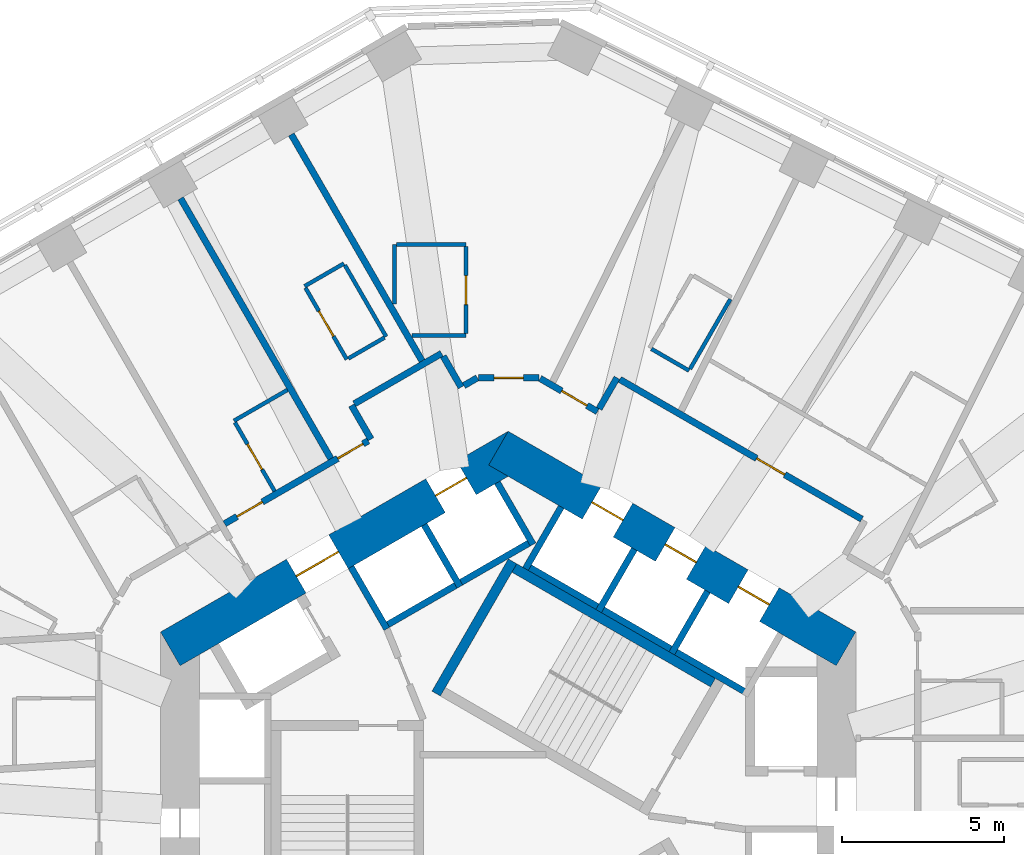
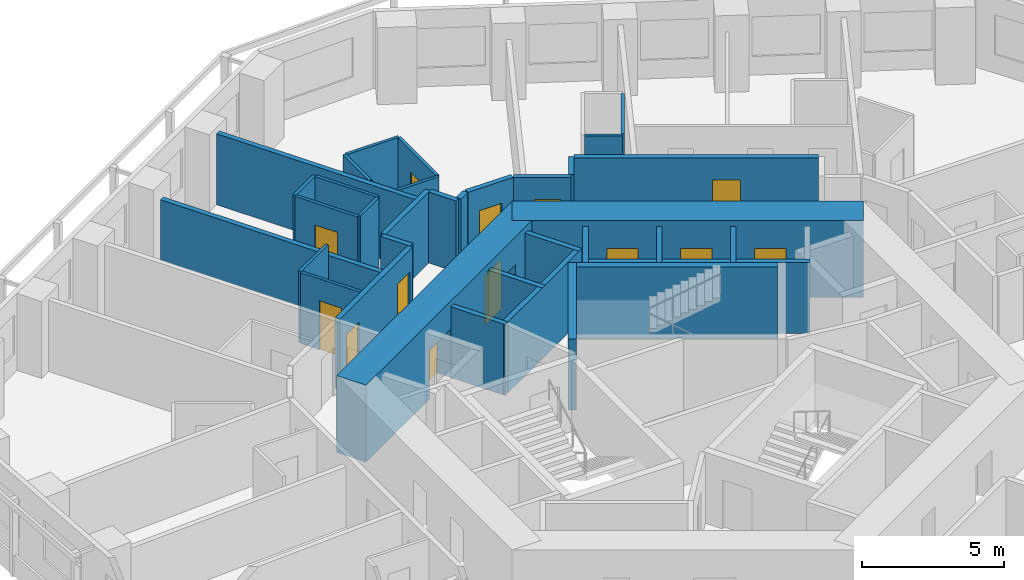
# One storey, part 8 of 12: 35 walls, 13 doors, 13 openings.
"""IFC4 building model written with IfcOpenShell, lengths in metres."""

from ifc_helpers import new_model, si_unit, direction, frame, frame_2d, origin, place, context, subcontext, project, spatial, rectangle, extrude, material, layer, layer_set, type_object, element, fill, save


model = new_model("IFC4")

# Units and contexts
model_context = context("Model", 3, precision=1e-05, world=origin(), true_north=direction((0.0, 1.0)))
body_context = subcontext(model_context, "Body", "Model", "MODEL_VIEW")
ifc_project = project(units=[si_unit("LENGTHUNIT", "METRE"), si_unit("AREAUNIT", "SQUARE_METRE"), si_unit("VOLUMEUNIT", "CUBIC_METRE"), si_unit("PLANEANGLEUNIT", "RADIAN"), si_unit("MASSUNIT", "GRAM", prefix="KILO")], contexts=[model_context])

# Site, building, storey
site_placement = place(None, origin())
site = spatial("IfcSite", under=ifc_project, at=site_placement, CompositionType="ELEMENT")
building_placement = place(site_placement, origin())
building = spatial("IfcBuilding", under=site, at=building_placement, Name="Vanh Sen Convention Tower", CompositionType="ELEMENT")
storey_placement = place(building_placement, frame((0.0, 0.0, 86.89990234375)))
storey = spatial("IfcBuildingStorey", under=building, at=storey_placement, Name="L19", CompositionType="ELEMENT", Elevation=86.89990234375)

# Wall
ifc_material_1 = material(Name="Moisture-resistant gypsum board on steel studs", Category="steel")
ifc_layer_1 = layer(ifc_material_1, 0.1201171875)
ifc_layer_set_1 = layer_set([ifc_layer_1], Name="Moisture-resistant gypsum board on steel studs")
wall_type_1 = type_object("IfcWallType", Name="Bathroom partition 120", PredefinedType="PARTITIONING", material=ifc_layer_set_1)
wall_1_placement = place(storey_placement, frame((-8.43994140625, 12.6787109375, 0.0), z_axis=(0.0, 0.0, 1.0), x_axis=(0.866044365799, 0.499967155389, 0.0)))
element("IfcWall", 1, at=wall_1_placement, inside=storey, type_object=wall_type_1, Name="Bathroom partition 120", PredefinedType="PARTITIONING", context=body_context, shape_type="SweptSolid", body=[
    extrude(rectangle(XDim=1.900146484375, YDim=0.1201171875, at=frame_2d((0.9501953125, 0.0))), origin(), (0.0, 0.0, 1.0), 3.050048828125),
])

# Wall, opening, door
wall_2_placement = place(storey_placement, frame((-7.18994140625, 10.513427734375, 0.0), z_axis=(0.0, 0.0, 1.0), x_axis=(-0.499959183527, 0.866048967903, 0.0)))
wall_2 = element("IfcWall", 2, at=wall_2_placement, inside=storey, type_object=wall_type_1, Name="Bathroom partition 120", PredefinedType="PARTITIONING", context=body_context, shape_type="SweptSolid", body=[
    extrude(rectangle(XDim=2.440185546875, YDim=0.1201171875, at=frame_2d((1.22021484375, 0.0))), origin(), (0.0, 0.0, 1.0), 3.050048828125),
])
opening_1_placement = place(wall_2_placement, frame((0.77001953125, 0.0, 0.0)))
opening_1 = element("IfcOpeningElement", 3, at=opening_1_placement, cuts=wall_2, Name="Opening D19120", PredefinedType="OPENING", context=body_context, shape_type="SweptSolid", body=[
    extrude(rectangle(XDim=0.89990234375, YDim=2.10009765625, at=frame_2d((0.449951171875, 1.050048828125))), frame((0.0, 0.070068359375, 0.0), z_axis=(0.0, -1.0, 0.0), x_axis=(1.0, 0.0, 0.0)), (0.0, 0.0, 1.0), 0.14013671875),
])
ifc_material_2 = material(Name="Laminate door in steel frame", Category="steel")
door_type_1 = type_object("IfcDoorType", Name="En-suite door 900", OperationType="SINGLE_SWING_LEFT", PredefinedType="DOOR", material=ifc_material_2)
door_1_placement = place(opening_1_placement, origin())
door_1 = element("IfcDoor", 4, at=door_1_placement, inside=storey, type_object=door_type_1, Name="En-suite door D19120", OperationType="SINGLE_SWING_LEFT", OverallHeight=2.10009765625, OverallWidth=0.89990234375, PredefinedType="DOOR", context=body_context, shape_type="SweptSolid", body=[
    extrude(rectangle(XDim=0.89990234375, YDim=2.10009765625, at=frame_2d((0.449951171875, 1.050048828125))), frame((0.0, 0.02490234375, 0.0), z_axis=(0.0, -1.0, 0.0), x_axis=(1.0, 0.0, 0.0)), (0.0, 0.0, 1.0), 0.050048828125),
])
fill(opening_1, door_1)

# Walls
wall_3_placement = place(storey_placement, frame((-6.268310546875, 16.8203125, 0.0), z_axis=(0.0, 0.0, 1.0), x_axis=(0.866002662425, 0.500039387122, 0.0)))
element("IfcWall", 5, at=wall_3_placement, inside=storey, type_object=wall_type_1, Name="Bathroom partition 120", PredefinedType="PARTITIONING", context=body_context, shape_type="SweptSolid", body=[
    extrude(rectangle(XDim=1.400390625, YDim=0.1201171875, at=frame_2d((0.7001953125, 0.0))), origin(), (0.0, 0.0, 1.0), 3.050048828125),
])
wall_4_placement = place(storey_placement, frame((-5.025634765625, 17.468505859375, 0.0), z_axis=(0.0, 0.0, 1.0), x_axis=(0.500005339912, -0.866022320763, 0.0)))
element("IfcWall", 6, at=wall_4_placement, inside=storey, type_object=wall_type_1, Name="Bathroom partition 120", PredefinedType="PARTITIONING", context=body_context, shape_type="SweptSolid", body=[
    extrude(rectangle(XDim=2.5400390625, YDim=0.1201171875, at=frame_2d((1.27001953125, 0.0))), origin(), (0.0, 0.0, 1.0), 3.050048828125),
])

# Wall, opening, door
wall_5_placement = place(storey_placement, frame((-4.96826171875, 14.56884765625, 0.0), z_axis=(0.0, 0.0, 1.0), x_axis=(-0.500046963369, 0.865998287773, 0.0)))
wall_5 = element("IfcWall", 7, at=wall_5_placement, inside=storey, type_object=wall_type_1, Name="Bathroom partition 120", PredefinedType="PARTITIONING", context=body_context, shape_type="SweptSolid", body=[
    extrude(rectangle(XDim=2.539794921875, YDim=0.1201171875, at=frame_2d((1.27001953125, 0.0))), origin(), (0.0, 0.0, 1.0), 3.050048828125),
])
opening_2_placement = place(wall_5_placement, frame((0.820068359375, 0.0, 0.0)))
opening_2 = element("IfcOpeningElement", 8, at=opening_2_placement, cuts=wall_5, Name="Opening D19118", PredefinedType="OPENING", context=body_context, shape_type="SweptSolid", body=[
    extrude(rectangle(XDim=0.89990234375, YDim=2.10009765625, at=frame_2d((0.449951171875, 1.050048828125))), frame((0.0, 0.070068359375, 0.0), z_axis=(0.0, -1.0, 0.0), x_axis=(1.0, 0.0, 0.0)), (0.0, 0.0, 1.0), 0.14013671875),
])
door_2_placement = place(opening_2_placement, origin())
door_2 = element("IfcDoor", 9, at=door_2_placement, inside=storey, type_object=door_type_1, Name="En-suite door D19118", OperationType="SINGLE_SWING_LEFT", OverallHeight=2.10009765625, OverallWidth=0.89990234375, PredefinedType="DOOR", context=body_context, shape_type="SweptSolid", body=[
    extrude(rectangle(XDim=0.89990234375, YDim=2.10009765625, at=frame_2d((0.449951171875, 1.050048828125))), frame((0.0, 0.02490234375, 0.0), z_axis=(0.0, -1.0, 0.0), x_axis=(1.0, 0.0, 0.0)), (0.0, 0.0, 1.0), 0.050048828125),
])
fill(opening_2, door_2)

# Walls
wall_6_placement = place(storey_placement, frame((-3.8076171875, 15.23876953125, 0.0), z_axis=(0.0, 0.0, 1.0), x_axis=(-0.866087136806, -0.499893060024, 0.0)))
element("IfcWall", 10, at=wall_6_placement, inside=storey, type_object=wall_type_1, Name="Bathroom partition 120", PredefinedType="PARTITIONING", context=body_context, shape_type="SweptSolid", body=[
    extrude(rectangle(XDim=1.280029296875, YDim=0.1201171875, at=frame_2d((0.64013671875, 0.0))), origin(), (0.0, 0.0, 1.0), 3.050048828125),
])
wall_7_placement = place(storey_placement, frame((-3.5, 16.271484375, 0.0), z_axis=(0.0, 0.0, 1.0), x_axis=(0.0, 1.0, 0.0)))
element("IfcWall", 11, at=wall_7_placement, inside=storey, type_object=wall_type_1, Name="Bathroom partition 120", PredefinedType="PARTITIONING", context=body_context, shape_type="SweptSolid", body=[
    extrude(rectangle(XDim=1.8291015625, YDim=0.1201171875, at=frame_2d((0.91455078125, 0.0))), origin(), (0.0, 0.0, 1.0), 3.050048828125),
])
wall_8_placement = place(storey_placement, frame((-3.43994140625, 18.1005859375, 0.0), z_axis=(0.0, 0.0, 1.0), x_axis=(1.0, 0.0, 0.0)))
element("IfcWall", 12, at=wall_8_placement, inside=storey, type_object=wall_type_1, Name="Bathroom partition 120", PredefinedType="PARTITIONING", context=body_context, shape_type="SweptSolid", body=[
    extrude(rectangle(XDim=2.139892578125, YDim=0.1201171875, at=frame_2d((1.06982421875, 0.0))), origin(), (0.0, 0.0, 1.0), 3.050048828125),
])
wall_9_placement = place(storey_placement, frame((-1.300048828125, 15.30078125, 0.0), z_axis=(0.0, 0.0, 1.0), x_axis=(-1.0, 0.0, 0.0)))
element("IfcWall", 13, at=wall_9_placement, inside=storey, type_object=wall_type_1, Name="Bathroom partition 120", PredefinedType="PARTITIONING", context=body_context, shape_type="SweptSolid", body=[
    extrude(rectangle(XDim=1.6611328125, YDim=0.1201171875, at=frame_2d((0.83056640625, 0.0))), origin(), (0.0, 0.0, 1.0), 3.050048828125),
])

# Wall, opening, door
wall_10_placement = place(storey_placement, frame((-1.300048828125, 18.040771484375, 0.0), z_axis=(0.0, 0.0, 1.0), x_axis=(0.0, -1.0, 0.0)))
wall_10 = element("IfcWall", 14, at=wall_10_placement, inside=storey, type_object=wall_type_1, Name="Bathroom partition 120", PredefinedType="PARTITIONING", context=body_context, shape_type="SweptSolid", body=[
    extrude(rectangle(XDim=2.68017578125, YDim=0.1201171875, at=frame_2d((1.340087890625, 0.0))), origin(), (0.0, 0.0, 1.0), 3.050048828125),
])
opening_3_placement = place(wall_10_placement, frame((0.889892578125, 0.0, 0.0)))
opening_3 = element("IfcOpeningElement", 15, at=opening_3_placement, cuts=wall_10, Name="Opening D19116", PredefinedType="OPENING", context=body_context, shape_type="SweptSolid", body=[
    extrude(rectangle(XDim=0.89990234375, YDim=2.10009765625, at=frame_2d((0.449951171875, 1.050048828125))), frame((0.0, 0.070068359375, 0.0), z_axis=(0.0, -1.0, 0.0), x_axis=(1.0, 0.0, 0.0)), (0.0, 0.0, 1.0), 0.14013671875),
])
door_3_placement = place(opening_3_placement, origin())
door_3 = element("IfcDoor", 16, at=door_3_placement, inside=storey, type_object=door_type_1, Name="En-suite door D19116", OperationType="SINGLE_SWING_LEFT", OverallHeight=2.10009765625, OverallWidth=0.89990234375, PredefinedType="DOOR", context=body_context, shape_type="SweptSolid", body=[
    extrude(rectangle(XDim=0.89990234375, YDim=2.10009765625, at=frame_2d((0.449951171875, 1.050048828125))), frame((0.0, 0.02490234375, 0.0), z_axis=(0.0, -1.0, 0.0), x_axis=(1.0, 0.0, 0.0)), (0.0, 0.0, 1.0), 0.050048828125),
])
fill(opening_3, door_3)

# Walls
wall_11_placement = place(storey_placement, frame((5.568603515625, 14.22216796875, 0.0), z_axis=(0.0, 0.0, 1.0), x_axis=(-0.866036909293, 0.499980071345, 0.0)))
element("IfcWall", 17, at=wall_11_placement, inside=storey, type_object=wall_type_1, Name="Bathroom partition 120", PredefinedType="PARTITIONING", context=body_context, shape_type="SweptSolid", body=[
    extrude(rectangle(XDim=1.33984375, YDim=0.1201171875, at=frame_2d((0.669921875, 0.0))), origin(), (0.0, 0.0, 1.0), 3.050048828125),
])
wall_12_placement = place(storey_placement, frame((6.838623046875, 16.421875, 0.0), z_axis=(0.0, 0.0, 1.0), x_axis=(-0.50000366821, -0.866023285932, 0.0)))
element("IfcWall", 18, at=wall_12_placement, inside=storey, type_object=wall_type_1, Name="Bathroom partition 120", PredefinedType="PARTITIONING", context=body_context, shape_type="SweptSolid", body=[
    extrude(rectangle(XDim=2.47998046875, YDim=0.1201171875, at=frame_2d((1.239990234375, 0.0))), origin(), (0.0, 0.0, 1.0), 3.050048828125),
])

# Wall, openings, doors
ifc_material_3 = material(Name="Concrete C80/95", Category="concrete")
ifc_layer_2 = layer(ifc_material_3, 1.199951171875)
ifc_layer_set_2 = layer_set([ifc_layer_2], Name="Concrete C80/95")
wall_type_2 = type_object("IfcWallType", Name="Core outer wall 1200 C80/95", PredefinedType="SHEAR", material=ifc_layer_set_2)
wall_13_placement = place(storey_placement, frame((10.39990234375, 5.657958984375, 0.0), z_axis=(0.0, 0.0, 1.0), x_axis=(-0.866021384402, 0.500006961711, 0.0)))
wall_13 = element("IfcWall", 19, at=wall_13_placement, inside=storey, type_object=wall_type_2, Name="Core wall face NE L19", PredefinedType="SHEAR", context=body_context, shape_type="SweptSolid", body=[
    extrude(rectangle(XDim=12.355224609375, YDim=1.199951171875, at=frame_2d((6.177734375, 0.0))), origin(), (0.0, 0.0, 1.0), 3.300048828125),
])
opening_4_placement = place(wall_13_placement, frame((2.727783203125, 0.0, 0.0)))
opening_4 = element("IfcOpeningElement", 20, at=opening_4_placement, cuts=wall_13, Name="Opening LD-LR3", PredefinedType="OPENING", context=body_context, shape_type="SweptSolid", body=[
    extrude(rectangle(XDim=1.10009765625, YDim=2.10009765625, at=frame_2d((0.550048828125, 1.050048828125))), frame((0.0, 0.60986328125, 0.0), z_axis=(0.0, -1.0, 0.0), x_axis=(1.0, 0.0, 0.0)), (0.0, 0.0, 1.0), 1.219970703125),
])
opening_5_placement = place(wall_13_placement, frame((5.32763671875, 0.0, 0.0)))
opening_5 = element("IfcOpeningElement", 21, at=opening_5_placement, cuts=wall_13, Name="Opening LD-LR4", PredefinedType="OPENING", context=body_context, shape_type="SweptSolid", body=[
    extrude(rectangle(XDim=1.10009765625, YDim=2.10009765625, at=frame_2d((0.550048828125, 1.050048828125))), frame((0.0, 0.60986328125, 0.0), z_axis=(0.0, -1.0, 0.0), x_axis=(1.0, 0.0, 0.0)), (0.0, 0.0, 1.0), 1.219970703125),
])
opening_6_placement = place(wall_13_placement, frame((7.927734375, 0.0, 0.0)))
opening_6 = element("IfcOpeningElement", 22, at=opening_6_placement, cuts=wall_13, Name="Opening LD-LR5", PredefinedType="OPENING", context=body_context, shape_type="SweptSolid", body=[
    extrude(rectangle(XDim=1.10009765625, YDim=2.10009765625, at=frame_2d((0.550048828125, 1.050048828125))), frame((0.0, 0.60986328125, 0.0), z_axis=(0.0, -1.0, 0.0), x_axis=(1.0, 0.0, 0.0)), (0.0, 0.0, 1.0), 1.219970703125),
])
ifc_material_4 = material(Name="Stainless steel", Category="steel")
door_type_2 = type_object("IfcDoorType", Name="Lift landing door 1100", OperationType="DOUBLE_DOOR_SLIDING", PredefinedType="DOOR", material=ifc_material_4)
door_4_placement = place(opening_4_placement, origin())
door_4 = element("IfcDoor", 23, at=door_4_placement, inside=storey, type_object=door_type_2, Name="Lift LR3 landing door LD-LR3", OperationType="DOUBLE_DOOR_SLIDING", OverallHeight=2.10009765625, OverallWidth=1.10009765625, PredefinedType="DOOR", context=body_context, shape_type="SweptSolid", body=[
    extrude(rectangle(XDim=1.10009765625, YDim=2.10009765625, at=frame_2d((0.550048828125, 1.050048828125))), frame((0.0, 0.02490234375, 0.0), z_axis=(0.0, -1.0, 0.0), x_axis=(1.0, 0.0, 0.0)), (0.0, 0.0, 1.0), 0.050048828125),
])
fill(opening_4, door_4)
door_5_placement = place(opening_5_placement, origin())
door_5 = element("IfcDoor", 24, at=door_5_placement, inside=storey, type_object=door_type_2, Name="Lift LR4 landing door LD-LR4", OperationType="DOUBLE_DOOR_SLIDING", OverallHeight=2.10009765625, OverallWidth=1.10009765625, PredefinedType="DOOR", context=body_context, shape_type="SweptSolid", body=[
    extrude(rectangle(XDim=1.10009765625, YDim=2.10009765625, at=frame_2d((0.550048828125, 1.050048828125))), frame((0.0, 0.02490234375, 0.0), z_axis=(0.0, -1.0, 0.0), x_axis=(1.0, 0.0, 0.0)), (0.0, 0.0, 1.0), 0.050048828125),
])
fill(opening_5, door_5)
door_6_placement = place(opening_6_placement, origin())
door_6 = element("IfcDoor", 25, at=door_6_placement, inside=storey, type_object=door_type_2, Name="Lift LR5 landing door LD-LR5", OperationType="DOUBLE_DOOR_SLIDING", OverallHeight=2.10009765625, OverallWidth=1.10009765625, PredefinedType="DOOR", context=body_context, shape_type="SweptSolid", body=[
    extrude(rectangle(XDim=1.10009765625, YDim=2.10009765625, at=frame_2d((0.550048828125, 1.050048828125))), frame((0.0, 0.02490234375, 0.0), z_axis=(0.0, -1.0, 0.0), x_axis=(1.0, 0.0, 0.0)), (0.0, 0.0, 1.0), 0.050048828125),
])
fill(opening_6, door_6)

wall_14_placement = place(storey_placement, frame((0.300048828125, 11.835693359375, 0.0), z_axis=(0.0, 0.0, 1.0), x_axis=(-0.866021384402, -0.500006961711, 0.0)))
wall_14 = element("IfcWall", 26, at=wall_14_placement, inside=storey, type_object=wall_type_2, Name="Core wall face NW L19", PredefinedType="SHEAR", context=body_context, shape_type="SweptSolid", body=[
    extrude(rectangle(XDim=12.355224609375, YDim=1.199951171875, at=frame_2d((6.177734375, 0.0))), origin(), (0.0, 0.0, 1.0), 3.300048828125),
])
opening_7_placement = place(wall_14_placement, frame((6.377685546875, 0.0, 0.0)))
opening_7 = element("IfcOpeningElement", 27, at=opening_7_placement, cuts=wall_14, Name="Opening D19002", PredefinedType="OPENING", context=body_context, shape_type="SweptSolid", body=[
    extrude(rectangle(XDim=1.5, YDim=2.10009765625, at=frame_2d((0.75, 1.050048828125))), frame((0.0, 0.60986328125, 0.0), z_axis=(0.0, -1.0, 0.0), x_axis=(1.0, 0.0, 0.0)), (0.0, 0.0, 1.0), 1.219970703125),
])
opening_8_placement = place(wall_14_placement, frame((1.82763671875, 0.0, 0.0)))
opening_8 = element("IfcOpeningElement", 28, at=opening_8_placement, cuts=wall_14, Name="Opening LD-LR6", PredefinedType="OPENING", context=body_context, shape_type="SweptSolid", body=[
    extrude(rectangle(XDim=1.10009765625, YDim=2.10009765625, at=frame_2d((0.550048828125, 1.050048828125))), frame((0.0, 0.60986328125, 0.0), z_axis=(0.0, -1.0, 0.0), x_axis=(1.0, 0.0, 0.0)), (0.0, 0.0, 1.0), 1.219970703125),
])
door_7_placement = place(opening_8_placement, origin())
door_7 = element("IfcDoor", 29, at=door_7_placement, inside=storey, type_object=door_type_2, Name="Lift LR6 landing door LD-LR6", OperationType="DOUBLE_DOOR_SLIDING", OverallHeight=2.10009765625, OverallWidth=1.10009765625, PredefinedType="DOOR", context=body_context, shape_type="SweptSolid", body=[
    extrude(rectangle(XDim=1.10009765625, YDim=2.10009765625, at=frame_2d((0.550048828125, 1.050048828125))), frame((0.0, 0.02490234375, 0.0), z_axis=(0.0, -1.0, 0.0), x_axis=(1.0, 0.0, 0.0)), (0.0, 0.0, 1.0), 0.050048828125),
])
fill(opening_8, door_7)
ifc_material_5 = material(Name="Steel S355", Category="steel")
door_type_3 = type_object("IfcDoorType", Name="Stair lobby door 1500", OperationType="DOUBLE_DOOR_SINGLE_SWING", PredefinedType="DOOR", material=ifc_material_5)
door_8_placement = place(opening_7_placement, origin())
door_8 = element("IfcDoor", 30, at=door_8_placement, inside=storey, type_object=door_type_3, Name="Stair lobby door D19002", OperationType="DOUBLE_DOOR_SINGLE_SWING", OverallHeight=2.10009765625, OverallWidth=1.5, PredefinedType="DOOR", context=body_context, shape_type="SweptSolid", body=[
    extrude(rectangle(XDim=1.5, YDim=2.10009765625, at=frame_2d((0.75, 1.050048828125))), frame((0.0, 0.02490234375, 0.0), z_axis=(0.0, -1.0, 0.0), x_axis=(1.0, 0.0, 0.0)), (0.0, 0.0, 1.0), 0.050048828125),
])
fill(opening_7, door_8)

# Wall
ifc_material_6 = material(Name="Gypsum board on steel studs with mineral wool", Category="steel")
ifc_layer_3 = layer(ifc_material_6, 0.199951171875)
ifc_layer_set_3 = layer_set([ifc_layer_3], Name="Gypsum board on steel studs with mineral wool")
wall_type_3 = type_object("IfcWallType", Name="Corridor partition wall 200", PredefinedType="PARTITIONING", material=ifc_layer_set_3)
wall_15_placement = place(storey_placement, frame((-4.822998046875, 13.151611328125, 0.0), z_axis=(0.0, 0.0, 1.0), x_axis=(0.499986357472, -0.866033280158, 0.0)))
element("IfcWall", 31, at=wall_15_placement, inside=storey, type_object=wall_type_3, Name="Corridor partition wall 200", PredefinedType="PARTITIONING", context=body_context, shape_type="SweptSolid", body=[
    extrude(rectangle(XDim=1.201171875, YDim=0.199951171875, at=frame_2d((0.6005859375, 0.0))), origin(), (0.0, 0.0, 1.0), 3.050048828125),
])

# Wall, openings, doors
wall_16_placement = place(storey_placement, frame((-4.30908203125, 12.061279296875, 0.0), z_axis=(0.0, 0.0, 1.0), x_axis=(-0.866020679205, -0.500008183122, 0.0)))
wall_16 = element("IfcWall", 32, at=wall_16_placement, inside=storey, type_object=wall_type_3, Name="Corridor partition wall 200", PredefinedType="PARTITIONING", context=body_context, shape_type="SweptSolid", body=[
    extrude(rectangle(XDim=5.103515625, YDim=0.199951171875, at=frame_2d((2.5517578125, 0.0))), origin(), (0.0, 0.0, 1.0), 3.050048828125),
])
opening_9_placement = place(wall_16_placement, frame((0.1845703125, 0.0, 0.0)))
opening_9 = element("IfcOpeningElement", 33, at=opening_9_placement, cuts=wall_16, Name="Opening D19117", PredefinedType="OPENING", context=body_context, shape_type="SweptSolid", body=[
    extrude(rectangle(XDim=0.89990234375, YDim=2.10009765625, at=frame_2d((0.449951171875, 1.050048828125))), frame((0.0, 0.10986328125, 0.0), z_axis=(0.0, -1.0, 0.0), x_axis=(1.0, 0.0, 0.0)), (0.0, 0.0, 1.0), 0.219970703125),
])
opening_10_placement = place(wall_16_placement, frame((3.76123046875, 0.0, 0.0)))
opening_10 = element("IfcOpeningElement", 34, at=opening_10_placement, cuts=wall_16, Name="Opening D19119", PredefinedType="OPENING", context=body_context, shape_type="SweptSolid", body=[
    extrude(rectangle(XDim=0.89990234375, YDim=2.10009765625, at=frame_2d((0.449951171875, 1.050048828125))), frame((0.0, 0.10986328125, 0.0), z_axis=(0.0, -1.0, 0.0), x_axis=(1.0, 0.0, 0.0)), (0.0, 0.0, 1.0), 0.219970703125),
])
ifc_material_7 = material(Name="Timber fire door in steel frame", Category="steel")
door_type_4 = type_object("IfcDoorType", Name="Guest room door 900", OperationType="SINGLE_SWING_LEFT", PredefinedType="DOOR", material=ifc_material_7)
door_9_placement = place(opening_9_placement, origin())
door_9 = element("IfcDoor", 35, at=door_9_placement, inside=storey, type_object=door_type_4, Name="Hotel guest room door D19117", OperationType="SINGLE_SWING_LEFT", OverallHeight=2.10009765625, OverallWidth=0.89990234375, PredefinedType="DOOR", context=body_context, shape_type="SweptSolid", body=[
    extrude(rectangle(XDim=0.89990234375, YDim=2.10009765625, at=frame_2d((0.449951171875, 1.050048828125))), frame((0.0, 0.02490234375, 0.0), z_axis=(0.0, -1.0, 0.0), x_axis=(1.0, 0.0, 0.0)), (0.0, 0.0, 1.0), 0.050048828125),
])
fill(opening_9, door_9)
door_10_placement = place(opening_10_placement, origin())
door_10 = element("IfcDoor", 36, at=door_10_placement, inside=storey, type_object=door_type_4, Name="Hotel guest room door D19119", OperationType="SINGLE_SWING_LEFT", OverallHeight=2.10009765625, OverallWidth=0.89990234375, PredefinedType="DOOR", context=body_context, shape_type="SweptSolid", body=[
    extrude(rectangle(XDim=0.89990234375, YDim=2.10009765625, at=frame_2d((0.449951171875, 1.050048828125))), frame((0.0, 0.02490234375, 0.0), z_axis=(0.0, -1.0, 0.0), x_axis=(1.0, 0.0, 0.0)), (0.0, 0.0, 1.0), 0.050048828125),
])
fill(opening_10, door_10)

# Walls
wall_17_placement = place(storey_placement, frame((-2.0498046875, 14.75244140625, 0.0), z_axis=(0.0, 0.0, 1.0), x_axis=(-0.866030936828, -0.499990416364, 0.0)))
element("IfcWall", 37, at=wall_17_placement, inside=storey, type_object=wall_type_3, Name="Corridor partition wall 200", PredefinedType="PARTITIONING", context=body_context, shape_type="SweptSolid", body=[
    extrude(rectangle(XDim=3.10205078125, YDim=0.199951171875, at=frame_2d((1.551025390625, 0.0))), origin(), (0.0, 0.0, 1.0), 3.050048828125),
])
wall_18_placement = place(storey_placement, frame((-1.449462890625, 13.71240234375, 0.0), z_axis=(0.0, 0.0, 1.0), x_axis=(-0.499978356969, 0.866037899034, 0.0)))
element("IfcWall", 38, at=wall_18_placement, inside=storey, type_object=wall_type_3, Name="Corridor partition wall 200", PredefinedType="PARTITIONING", context=body_context, shape_type="SweptSolid", body=[
    extrude(rectangle(XDim=1.10107421875, YDim=0.199951171875, at=frame_2d((0.550537109375, 0.0))), origin(), (0.0, 0.0, 1.0), 3.050048828125),
])
wall_19_placement = place(storey_placement, frame((-0.949951171875, 14.000732421875, 0.0), z_axis=(0.0, 0.0, 1.0), x_axis=(-0.86609177584, -0.499885022602, 0.0)))
element("IfcWall", 39, at=wall_19_placement, inside=storey, type_object=wall_type_3, Name="Corridor partition wall 200", PredefinedType="PARTITIONING", context=body_context, shape_type="SweptSolid", body=[
    extrude(rectangle(XDim=0.4765625, YDim=0.199951171875, at=frame_2d((0.23828125, 0.0))), origin(), (0.0, 0.0, 1.0), 3.050048828125),
])

# Wall, opening, door
wall_20_placement = place(storey_placement, frame((0.949951171875, 14.000732421875, 0.0), z_axis=(0.0, 0.0, 1.0), x_axis=(-1.0, 0.0, 0.0)))
wall_20 = element("IfcWall", 40, at=wall_20_placement, inside=storey, type_object=wall_type_3, Name="Corridor partition wall 200", PredefinedType="PARTITIONING", context=body_context, shape_type="SweptSolid", body=[
    extrude(rectangle(XDim=1.85986328125, YDim=0.199951171875, at=frame_2d((0.929931640625, 0.0))), origin(), (0.0, 0.0, 1.0), 3.050048828125),
])
opening_11_placement = place(wall_20_placement, frame((0.47998046875, 0.0, 0.0)))
opening_11 = element("IfcOpeningElement", 41, at=opening_11_placement, cuts=wall_20, Name="Opening D19115", PredefinedType="OPENING", context=body_context, shape_type="SweptSolid", body=[
    extrude(rectangle(XDim=0.89990234375, YDim=2.10009765625, at=frame_2d((0.449951171875, 1.050048828125))), frame((0.0, 0.10986328125, 0.0), z_axis=(0.0, -1.0, 0.0), x_axis=(1.0, 0.0, 0.0)), (0.0, 0.0, 1.0), 0.219970703125),
])
door_11_placement = place(opening_11_placement, origin())
door_11 = element("IfcDoor", 42, at=door_11_placement, inside=storey, type_object=door_type_4, Name="Hotel guest room door D19115", OperationType="SINGLE_SWING_LEFT", OverallHeight=2.10009765625, OverallWidth=0.89990234375, PredefinedType="DOOR", context=body_context, shape_type="SweptSolid", body=[
    extrude(rectangle(XDim=0.89990234375, YDim=2.10009765625, at=frame_2d((0.449951171875, 1.050048828125))), frame((0.0, 0.02490234375, 0.0), z_axis=(0.0, -1.0, 0.0), x_axis=(1.0, 0.0, 0.0)), (0.0, 0.0, 1.0), 0.050048828125),
])
fill(opening_11, door_11)

wall_21_placement = place(storey_placement, frame((2.748291015625, 12.96240234375, 0.0), z_axis=(0.0, 0.0, 1.0), x_axis=(-0.866013897511, 0.50001992892, 0.0)))
wall_21 = element("IfcWall", 43, at=wall_21_placement, inside=storey, type_object=wall_type_3, Name="Corridor partition wall 200", PredefinedType="PARTITIONING", context=body_context, shape_type="SweptSolid", body=[
    extrude(rectangle(XDim=2.03662109375, YDim=0.199951171875, at=frame_2d((1.018310546875, 0.0))), origin(), (0.0, 0.0, 1.0), 3.050048828125),
])
opening_12_placement = place(wall_21_placement, frame((0.371826171875, 0.0, 0.0)))
opening_12 = element("IfcOpeningElement", 44, at=opening_12_placement, cuts=wall_21, Name="Opening D19113", PredefinedType="OPENING", context=body_context, shape_type="SweptSolid", body=[
    extrude(rectangle(XDim=0.89990234375, YDim=2.10009765625, at=frame_2d((0.449951171875, 1.050048828125))), frame((0.0, 0.10986328125, 0.0), z_axis=(0.0, -1.0, 0.0), x_axis=(1.0, 0.0, 0.0)), (0.0, 0.0, 1.0), 0.219970703125),
])
door_12_placement = place(opening_12_placement, origin())
door_12 = element("IfcDoor", 45, at=door_12_placement, inside=storey, type_object=door_type_4, Name="Hotel guest room door D19113", OperationType="SINGLE_SWING_LEFT", OverallHeight=2.10009765625, OverallWidth=0.89990234375, PredefinedType="DOOR", context=body_context, shape_type="SweptSolid", body=[
    extrude(rectangle(XDim=0.89990234375, YDim=2.10009765625, at=frame_2d((0.449951171875, 1.050048828125))), frame((0.0, 0.02490234375, 0.0), z_axis=(0.0, -1.0, 0.0), x_axis=(1.0, 0.0, 0.0)), (0.0, 0.0, 1.0), 0.050048828125),
])
fill(opening_12, door_12)

# Wall
wall_22_placement = place(storey_placement, frame((3.348876953125, 14.00244140625, 0.0), z_axis=(0.0, 0.0, 1.0), x_axis=(-0.500074377092, -0.865982457891, 0.0)))
element("IfcWall", 46, at=wall_22_placement, inside=storey, type_object=wall_type_3, Name="Corridor partition wall 200", PredefinedType="PARTITIONING", context=body_context, shape_type="SweptSolid", body=[
    extrude(rectangle(XDim=1.100830078125, YDim=0.199951171875, at=frame_2d((0.55029296875, 0.0))), origin(), (0.0, 0.0, 1.0), 3.050048828125),
])

# Wall, opening, door
wall_23_placement = place(storey_placement, frame((10.885009765625, 9.651611328125, 0.0), z_axis=(0.0, 0.0, 1.0), x_axis=(-0.866033868542, 0.499985338323, 0.0)))
wall_23 = element("IfcWall", 47, at=wall_23_placement, inside=storey, type_object=wall_type_3, Name="Corridor partition wall 200", PredefinedType="PARTITIONING", context=body_context, shape_type="SweptSolid", body=[
    extrude(rectangle(XDim=8.601806640625, YDim=0.199951171875, at=frame_2d((4.30078125, 0.0))), origin(), (0.0, 0.0, 1.0), 3.050048828125),
])
opening_13_placement = place(wall_23_placement, frame((2.738525390625, 0.0, 0.0)))
opening_13 = element("IfcOpeningElement", 48, at=opening_13_placement, cuts=wall_23, Name="Opening D19109", PredefinedType="OPENING", context=body_context, shape_type="SweptSolid", body=[
    extrude(rectangle(XDim=1.0, YDim=2.10009765625, at=frame_2d((0.5, 1.050048828125))), frame((0.0, 0.10986328125, 0.0), z_axis=(0.0, -1.0, 0.0), x_axis=(1.0, 0.0, 0.0)), (0.0, 0.0, 1.0), 0.219970703125),
])
door_type_5 = type_object("IfcDoorType", Name="Floor room door 1000", OperationType="SINGLE_SWING_LEFT", PredefinedType="DOOR", material=ifc_material_7)
door_13_placement = place(opening_13_placement, origin())
door_13 = element("IfcDoor", 49, at=door_13_placement, inside=storey, type_object=door_type_5, Name="Meeting and amenity room door D19109", OperationType="SINGLE_SWING_LEFT", OverallHeight=2.10009765625, OverallWidth=1.0, PredefinedType="DOOR", context=body_context, shape_type="SweptSolid", body=[
    extrude(rectangle(XDim=1.0, YDim=2.10009765625, at=frame_2d((0.5, 1.050048828125))), frame((0.0, 0.02490234375, 0.0), z_axis=(0.0, -1.0, 0.0), x_axis=(1.0, 0.0, 0.0)), (0.0, 0.0, 1.0), 0.050048828125),
])
fill(opening_13, door_13)

# Walls
ifc_layer_4 = layer(ifc_material_6, 0.199951171875)
ifc_layer_set_4 = layer_set([ifc_layer_4], Name="Gypsum board on steel studs with mineral wool")
wall_type_4 = type_object("IfcWallType", Name="Hotel party wall 200", PredefinedType="PARTITIONING", material=ifc_layer_set_4)
wall_24_placement = place(storey_placement, frame((-10.0830078125, 19.5244140625, 0.0), z_axis=(0.0, 0.0, 1.0), x_axis=(0.499999662836, -0.866025598446, 0.0)))
element("IfcWall", 50, at=wall_24_placement, inside=storey, type_object=wall_type_4, Name="Hotel party wall 200", PredefinedType="PARTITIONING", context=body_context, shape_type="SweptSolid", body=[
    extrude(rectangle(XDim=9.25, YDim=0.199951171875, at=frame_2d((4.625, 0.0))), origin(), (0.0, 0.0, 1.0), 2.60009765625),
])
wall_25_placement = place(storey_placement, frame((-6.675537109375, 21.49169921875, 0.0), z_axis=(0.0, 0.0, 1.0), x_axis=(0.500011263043, -0.866018900966, 0.0)))
element("IfcWall", 51, at=wall_25_placement, inside=storey, type_object=wall_type_4, Name="Hotel party wall 200", PredefinedType="PARTITIONING", context=body_context, shape_type="SweptSolid", body=[
    extrude(rectangle(XDim=8.049072265625, YDim=0.199951171875, at=frame_2d((4.0244140625, 0.0))), origin(), (0.0, 0.0, 1.0), 3.050048828125),
])
ifc_material_8 = material(Name="Concrete C40/50", Category="concrete")
ifc_layer_5 = layer(ifc_material_8, 0.199951171875)
ifc_layer_set_5 = layer_set([ifc_layer_5], Name="Concrete C40/50")
wall_type_5 = type_object("IfcWallType", Name="Lift shaft wall 200", PredefinedType="PARTITIONING", material=ifc_layer_set_5)
wall_26_placement = place(storey_placement, frame((7.423828125, 4.258544921875, 0.0), z_axis=(0.0, 0.0, 1.0), x_axis=(-0.866026010844, 0.49999894854, 0.0)))
element("IfcWall", 52, at=wall_26_placement, inside=storey, type_object=wall_type_5, Name="Lift shaft wall L19", PredefinedType="PARTITIONING", context=body_context, shape_type="SweptSolid", body=[
    extrude(rectangle(XDim=8.0, YDim=0.199951171875, at=frame_2d((4.0, 0.0))), origin(), (0.0, 0.0, 1.0), 3.050048828125),
])
for number, where, z_axis, x_axis, name in (
    (53, (5.03564453125, 5.52197265625, 0.0), (0.0, 0.0, 1.0), (0.499946605688, 0.86605622881, 0.0), "Lift shaft wall L19"),
    (54, (2.783935546875, 6.822021484375, 0.0), (0.0, 0.0, 1.0), (0.50002983664, 0.866008176907, 0.0), "Lift shaft wall L19"),
    (55, (0.5322265625, 8.1220703125, 0.0), (0.0, 0.0, 1.0), (0.500077893725, 0.86598042715, 0.0), "Lift shaft wall L19"),
):
    element("IfcWall", number, at=place(storey_placement, frame(where, z_axis=z_axis, x_axis=x_axis)), inside=storey, type_object=wall_type_5, Name=name, PredefinedType="PARTITIONING", context=body_context, shape_type="SweptSolid", body=[
        extrude(rectangle(XDim=2.199951171875, YDim=0.199951171875, at=frame_2d((1.10009765625, 0.0))), origin(), (0.0, 0.0, 1.0), 3.050048828125),
    ])
wall_27_placement = place(storey_placement, frame((0.80322265625, 9.008544921875, 0.0), z_axis=(0.0, 0.0, 1.0), x_axis=(-0.866028230842, -0.499995103361, 0.0)))
element("IfcWall", 56, at=wall_27_placement, inside=storey, type_object=wall_type_5, Name="Lift shaft wall L19", PredefinedType="PARTITIONING", context=body_context, shape_type="SweptSolid", body=[
    extrude(rectangle(XDim=5.39990234375, YDim=0.199951171875, at=frame_2d((2.699951171875, 0.0))), origin(), (0.0, 0.0, 1.0), 3.050048828125),
])
wall_28_placement = place(storey_placement, frame((0.7666015625, 8.8720703125, 0.0), z_axis=(0.0, 0.0, 1.0), x_axis=(-0.499994660107, 0.866028486751, 0.0)))
element("IfcWall", 57, at=wall_28_placement, inside=storey, type_object=wall_type_5, Name="Lift shaft wall L19", PredefinedType="PARTITIONING", context=body_context, shape_type="SweptSolid", body=[
    extrude(rectangle(XDim=2.19970703125, YDim=0.199951171875, at=frame_2d((1.099853515625, 0.0))), origin(), (0.0, 0.0, 1.0), 3.050048828125),
])
for number, where, z_axis, x_axis, name in (
    (58, (-1.48486328125, 7.572021484375, 0.0), (0.0, 0.0, 1.0), (-0.50002983664, 0.866008176907, 0.0), "Lift shaft wall L19"),
    (59, (-3.736572265625, 6.27197265625, 0.0), (0.0, 0.0, 1.0), (-0.50002983664, 0.866008176907, 0.0), "Lift shaft wall L19"),
):
    element("IfcWall", number, at=place(storey_placement, frame(where, z_axis=z_axis, x_axis=x_axis)), inside=storey, type_object=wall_type_5, Name=name, PredefinedType="PARTITIONING", context=body_context, shape_type="SweptSolid", body=[
        extrude(rectangle(XDim=2.199951171875, YDim=0.199951171875, at=frame_2d((1.10009765625, 0.0))), origin(), (0.0, 0.0, 1.0), 3.050048828125),
    ])
ifc_material_9 = material(Name="Concrete C60/75", Category="concrete")
ifc_layer_6 = layer(ifc_material_9, 0.300048828125)
ifc_layer_set_6 = layer_set([ifc_layer_6], Name="Concrete C60/75")
wall_type_6 = type_object("IfcWallType", Name="Stair wall 300", PredefinedType="SHEAR", material=ifc_layer_set_6)
wall_29_placement = place(storey_placement, frame((-2.216064453125, 4.28173828125, 0.0), z_axis=(0.0, 0.0, 1.0), x_axis=(0.499977259774, 0.866038532462, 0.0)))
element("IfcWall", 60, at=wall_29_placement, inside=storey, type_object=wall_type_6, Name="Stair wall L19", PredefinedType="SHEAR", context=body_context, shape_type="SweptSolid", body=[
    extrude(rectangle(XDim=4.699951171875, YDim=0.300048828125, at=frame_2d((2.35009765625, 0.0))), origin(), (0.0, 0.0, 1.0), 3.050048828125),
])
wall_30_placement = place(storey_placement, frame((6.302978515625, 4.6171875, 0.0), z_axis=(0.0, 0.0, 1.0), x_axis=(-0.866027801685, 0.499995846692, 0.0)))
element("IfcWall", 61, at=wall_30_placement, inside=storey, type_object=wall_type_6, Name="Stair wall L19", PredefinedType="SHEAR", context=body_context, shape_type="SweptSolid", body=[
    extrude(rectangle(XDim=7.06005859375, YDim=0.300048828125, at=frame_2d((3.530029296875, 0.0))), origin(), (0.0, 0.0, 1.0), 3.050048828125),
])

save(model, "model.ifc")
